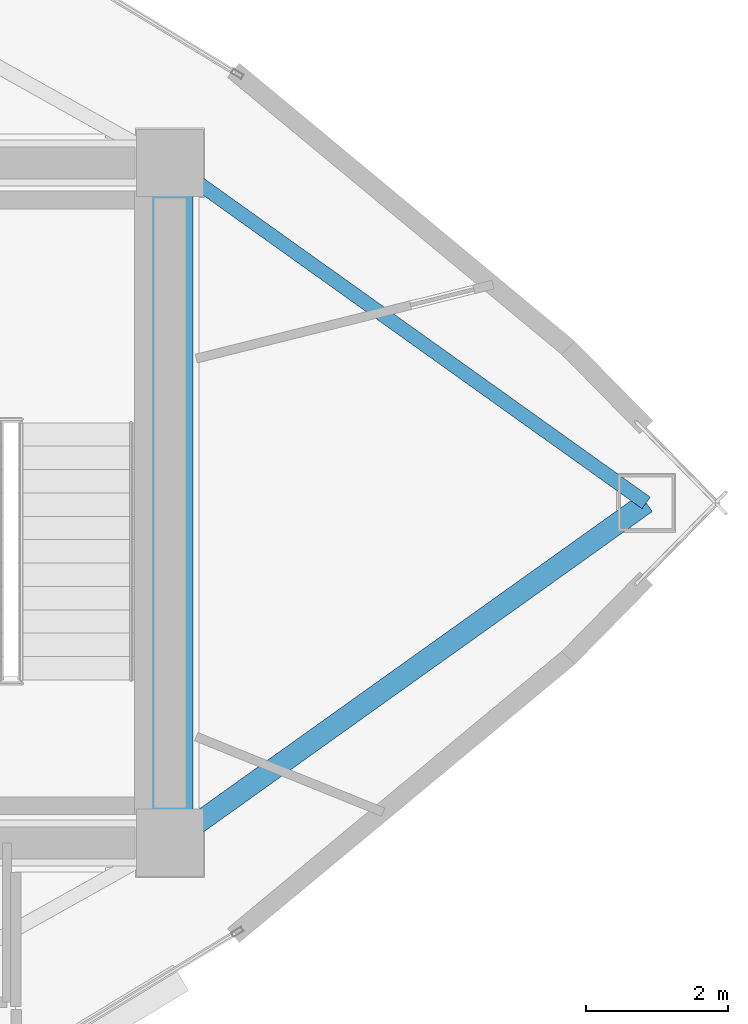
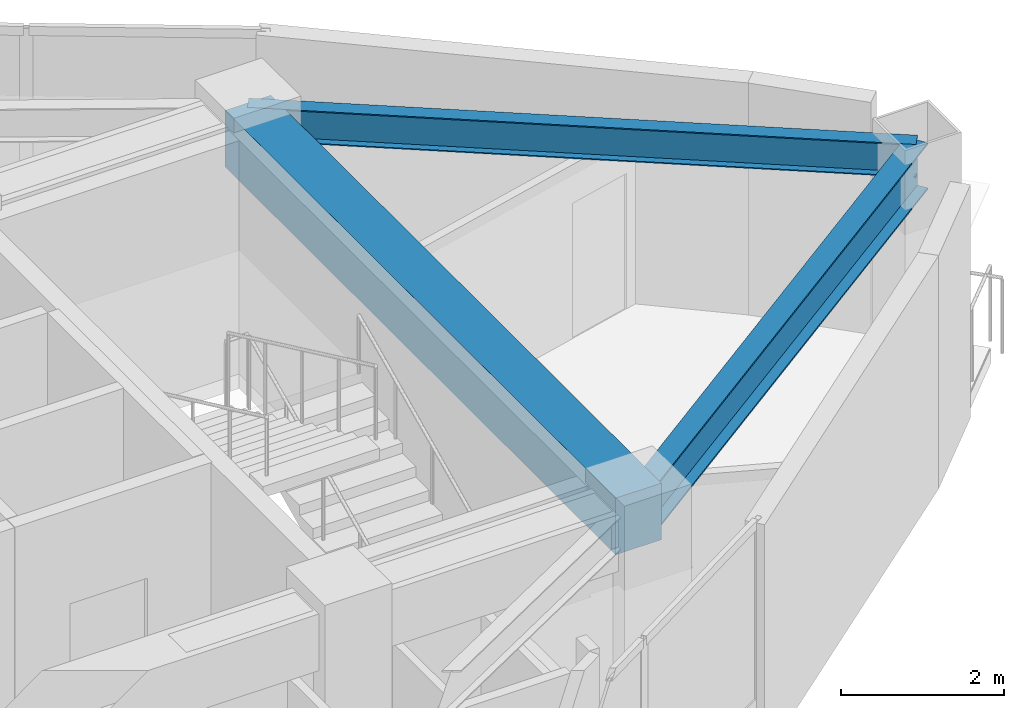
# One storey, part 6 of 15: 3 beams.
"""IFC4 building model written with IfcOpenShell, lengths in metres."""

from ifc_helpers import new_model, si_unit, direction, frame, origin, origin_2d, place, context, subcontext, project, spatial, rectangle, i_section, extrude, material, material_profile, profile_set, type_object, element, save


model = new_model("IFC4")

# Units and contexts
model_context = context("Model", 3, precision=1e-05, world=origin(), true_north=direction((0.0, 1.0)))
body_context = subcontext(model_context, "Body", "Model", "MODEL_VIEW")
ifc_project = project(units=[si_unit("LENGTHUNIT", "METRE"), si_unit("AREAUNIT", "SQUARE_METRE"), si_unit("VOLUMEUNIT", "CUBIC_METRE"), si_unit("PLANEANGLEUNIT", "RADIAN"), si_unit("MASSUNIT", "GRAM", prefix="KILO")], contexts=[model_context])

# Site, building, storey
site_placement = place(None, origin())
site = spatial("IfcSite", under=ifc_project, at=site_placement, CompositionType="ELEMENT")
building_placement = place(site_placement, origin())
building = spatial("IfcBuilding", under=site, at=building_placement, Name="Menara Vayukalpa", CompositionType="ELEMENT")
storey_placement = place(building_placement, frame((0.0, 0.0, 250.860107421875)))
storey = spatial("IfcBuildingStorey", under=building, at=storey_placement, Name="L63", CompositionType="ELEMENT", Elevation=250.860107421875)

# Beams
ifc_material_1 = material(Name="Concrete C60/75", Category="concrete")
ifc_material_profile_1 = material_profile(ifc_material_1, rectangle(XDim=0.64990234375, YDim=0.85009765625, at=origin_2d()), Name="RC 650x850")
ifc_profile_set_1 = profile_set([ifc_material_profile_1], Name="Concrete C60/75")
beam_type_1 = type_object("IfcBeamType", Name="BM-CB1", PredefinedType="BEAM", material=ifc_profile_set_1)
beam_1_placement = place(storey_placement, frame((33.39990234375, 17.199951171875, 3.074951171875), z_axis=(0.0, 1.0, 0.0), x_axis=(-1.0, 0.0, 0.0)))
element("IfcBeam", 1, at=beam_1_placement, inside=storey, type_object=beam_type_1, Name="L63 Core Tie Beam CBR8", PredefinedType="BEAM", context=body_context, shape_type="SweptSolid", body=[
    extrude(rectangle(XDim=0.64990234375, YDim=0.85009765625, at=origin_2d()), origin(), (0.0, 0.0, 1.0), 9.60009765625),
])
ifc_material_2 = material(Name="Steel S355", Category="steel")
ifc_material_profile_2 = material_profile(ifc_material_2, i_section(OverallWidth=0.300048828125, OverallDepth=0.699951171875, WebThickness=0.012939453125, FlangeThickness=0.02392578125, at=origin_2d()), Name="WF 700x300x13x24")
ifc_profile_set_2 = profile_set([ifc_material_profile_2], Name="Steel S355")
beam_type_2 = type_object("IfcBeamType", Name="BM-PG5", PredefinedType="BEAM", material=ifc_profile_set_2)
beam_2_placement = place(storey_placement, frame((33.603515625, 17.34521484375, 3.14990234375), z_axis=(0.813801429135, 0.581143040859, 0.0), x_axis=(-0.581143040859, 0.813801429135, 0.0)))
element("IfcBeam", 2, at=beam_2_placement, inside=storey, type_object=beam_type_2, Name="L63 Primary Radial Girder RG01", PredefinedType="BEAM", context=body_context, shape_type="SweptSolid", body=[
    extrude(i_section(OverallWidth=0.300048828125, OverallDepth=0.699951171875, WebThickness=0.012939453125, FlangeThickness=0.02392578125, at=origin_2d()), origin(), (0.0, 0.0, 1.0), 8.009765625),
])
ifc_material_3 = material(Name="Steel S355", Category="steel")
ifc_material_profile_3 = material_profile(ifc_material_3, i_section(OverallWidth=0.199951171875, OverallDepth=0.5, WebThickness=0.010009765625, FlangeThickness=0.01611328125, at=origin_2d()), Name="WF 500x200x10x16")
ifc_profile_set_3 = profile_set([ifc_material_profile_3], Name="Steel S355")
beam_type_3 = type_object("IfcBeamType", Name="BM-SP3", PredefinedType="SPANDREL", material=ifc_profile_set_3)
beam_3_placement = place(storey_placement, frame((40.121826171875, 22.0, 3.25), z_axis=(-0.813809355401, 0.581131941181, 0.0), x_axis=(-0.581131941181, -0.813809355401, 0.0)))
element("IfcBeam", 3, at=beam_3_placement, inside=storey, type_object=beam_type_3, Name="L63 Perimeter Spandrel Beam SP01", PredefinedType="SPANDREL", context=body_context, shape_type="SweptSolid", body=[
    extrude(i_section(OverallWidth=0.199951171875, OverallDepth=0.5, WebThickness=0.010009765625, FlangeThickness=0.01611328125, at=origin_2d()), origin(), (0.0, 0.0, 1.0), 8.259765625),
])

save(model, "model.ifc")
